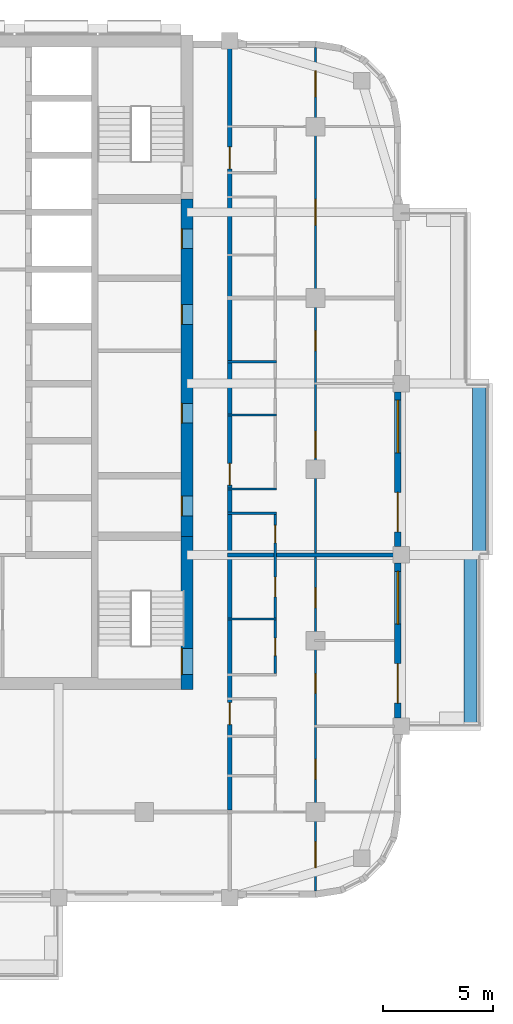
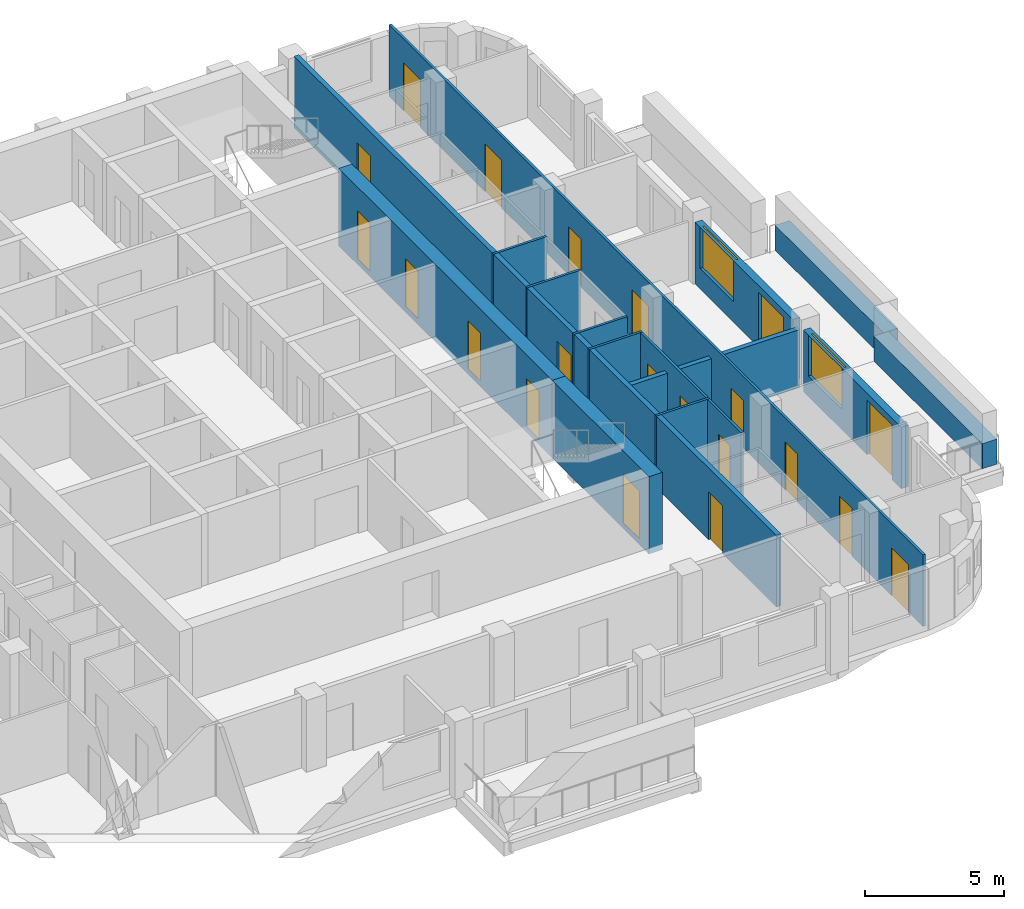
# One storey, part 6 of 13: 21 doors, 15 walls, 2 windows, 23 openings.
"""IFC4 building model written with IfcOpenShell, lengths in metres."""

from ifc_helpers import new_model, si_unit, direction, frame, frame_2d, origin, place, context, subcontext, project, spatial, rectangle, extrude, material, layer, layer_set, type_object, element, fill, save


model = new_model("IFC4")

# Units and contexts
model_context = context("Model", 3, precision=1e-05, world=origin(), true_north=direction((0.0, 1.0)))
body_context = subcontext(model_context, "Body", "Model", "MODEL_VIEW")
ifc_project = project(units=[si_unit("LENGTHUNIT", "METRE"), si_unit("AREAUNIT", "SQUARE_METRE"), si_unit("VOLUMEUNIT", "CUBIC_METRE"), si_unit("PLANEANGLEUNIT", "RADIAN"), si_unit("MASSUNIT", "GRAM", prefix="KILO")], contexts=[model_context])

# Site, building, storey
site_placement = place(None, origin())
site = spatial("IfcSite", under=ifc_project, at=site_placement, CompositionType="ELEMENT")
building_placement = place(site_placement, origin())
building = spatial("IfcBuilding", under=site, at=building_placement, Name="Ludao Terraces", CompositionType="ELEMENT")
storey_placement = place(building_placement, frame((0.0, 0.0, 162.199951171875)))
storey = spatial("IfcBuildingStorey", under=building, at=storey_placement, Name="L44", CompositionType="ELEMENT", Elevation=162.199951171875)

# Wall, opening, door
ifc_material_1 = material(Name="Concrete C60", Category="concrete")
ifc_layer_1 = layer(ifc_material_1, 0.550048828125)
ifc_layer_set_1 = layer_set([ifc_layer_1], Name="Core wall 550 C60")
wall_type_1 = type_object("IfcWallType", Name="Core wall 550 C60", PredefinedType="SOLIDWALL", material=ifc_layer_set_1)
wall_1_placement = place(storey_placement, frame((94.75, 54.97509765625, -0.25), z_axis=(0.0, 0.0, 1.0), x_axis=(0.0, 1.0, 0.0)))
wall_1 = element("IfcWall", 1, at=wall_1_placement, inside=storey, type_object=wall_type_1, Name="Core wall L44 outer-E-S3", PredefinedType="SOLIDWALL", context=body_context, shape_type="SweptSolid", body=[
    extrude(rectangle(XDim=6.974853515625, YDim=0.550048828125, at=frame_2d((3.4873046875, 0.0))), origin(), (0.0, 0.0, 1.0), 3.400146484375),
])
opening_1_placement = place(wall_1_placement, frame((0.675048828125, 0.0, 0.25)))
opening_1 = element("IfcOpeningElement", 2, at=opening_1_placement, cuts=wall_1, Name="Opening R15-017", PredefinedType="OPENING", context=body_context, shape_type="SweptSolid", body=[
    extrude(rectangle(XDim=1.199951171875, YDim=2.10009765625, at=frame_2d((0.60009765625, 1.050048828125))), frame((0.0, 0.28515625, 0.0), z_axis=(0.0, -1.0, 0.0), x_axis=(1.0, 0.0, 0.0)), (0.0, 0.0, 1.0), 0.570068359375),
])
ifc_material_2 = material(Name="Steel Q235", Category="steel")
door_type_1 = type_object("IfcDoorType", Name="INT Stair door 1200", OperationType="DOUBLE_DOOR_SINGLE_SWING", PredefinedType="DOOR", material=ifc_material_2)
door_1_placement = place(opening_1_placement, origin())
door_1 = element("IfcDoor", 3, at=door_1_placement, inside=storey, type_object=door_type_1, Name="DOOR 017", OperationType="DOUBLE_DOOR_SINGLE_SWING", OverallHeight=2.10009765625, OverallWidth=1.199951171875, PredefinedType="DOOR", context=body_context, shape_type="SweptSolid", body=[
    extrude(rectangle(XDim=1.199951171875, YDim=2.10009765625, at=frame_2d((0.60009765625, 1.050048828125))), frame((0.0, 0.26025390625, 0.0), z_axis=(0.0, -1.0, 0.0), x_axis=(1.0, 0.0, 0.0)), (0.0, 0.0, 1.0), 0.050048828125),
])
fill(opening_1, door_1)

# Wall, openings, doors
wall_2_placement = place(storey_placement, frame((94.75, 61.949951171875, -0.25), z_axis=(0.0, 0.0, 1.0), x_axis=(0.0, 1.0, 0.0)))
wall_2 = element("IfcWall", 4, at=wall_2_placement, inside=storey, type_object=wall_type_1, Name="Core wall L44 outer-E", PredefinedType="SOLIDWALL", context=body_context, shape_type="SweptSolid", body=[
    extrude(rectangle(XDim=15.35009765625, YDim=0.550048828125, at=frame_2d((7.675048828125, 0.0))), origin(), (0.0, 0.0, 1.0), 3.400146484375),
])
opening_2_placement = place(wall_2_placement, frame((0.925048828125, 0.0, 0.25)))
opening_2 = element("IfcOpeningElement", 5, at=opening_2_placement, cuts=wall_2, Name="Opening R15-034", PredefinedType="OPENING", context=body_context, shape_type="SweptSolid", body=[
    extrude(rectangle(XDim=0.89990234375, YDim=2.10009765625, at=frame_2d((0.449951171875, 1.050048828125))), frame((0.0, 0.28515625, 0.0), z_axis=(0.0, -1.0, 0.0), x_axis=(1.0, 0.0, 0.0)), (0.0, 0.0, 1.0), 0.570068359375),
])
opening_3_placement = place(wall_2_placement, frame((5.14990234375, 0.0, 0.25)))
opening_3 = element("IfcOpeningElement", 6, at=opening_3_placement, cuts=wall_2, Name="Opening R15-043", PredefinedType="OPENING", context=body_context, shape_type="SweptSolid", body=[
    extrude(rectangle(XDim=0.89990234375, YDim=2.10009765625, at=frame_2d((0.449951171875, 1.050048828125))), frame((0.0, 0.28515625, 0.0), z_axis=(0.0, -1.0, 0.0), x_axis=(1.0, 0.0, 0.0)), (0.0, 0.0, 1.0), 0.570068359375),
])
opening_4_placement = place(wall_2_placement, frame((9.64990234375, 0.0, 0.25)))
opening_4 = element("IfcOpeningElement", 7, at=opening_4_placement, cuts=wall_2, Name="Opening R15-056", PredefinedType="OPENING", context=body_context, shape_type="SweptSolid", body=[
    extrude(rectangle(XDim=0.89990234375, YDim=2.10009765625, at=frame_2d((0.449951171875, 1.050048828125))), frame((0.0, 0.28515625, 0.0), z_axis=(0.0, -1.0, 0.0), x_axis=(1.0, 0.0, 0.0)), (0.0, 0.0, 1.0), 0.570068359375),
])
opening_5_placement = place(wall_2_placement, frame((13.10009765625, 0.0, 0.25)))
opening_5 = element("IfcOpeningElement", 8, at=opening_5_placement, cuts=wall_2, Name="Opening R15-066", PredefinedType="OPENING", context=body_context, shape_type="SweptSolid", body=[
    extrude(rectangle(XDim=0.89990234375, YDim=2.10009765625, at=frame_2d((0.449951171875, 1.050048828125))), frame((0.0, 0.28515625, 0.0), z_axis=(0.0, -1.0, 0.0), x_axis=(1.0, 0.0, 0.0)), (0.0, 0.0, 1.0), 0.570068359375),
])
door_type_2 = type_object("IfcDoorType", Name="INT Riser door 900", OperationType="SINGLE_SWING_LEFT", PredefinedType="DOOR", material=ifc_material_2)
door_2_placement = place(opening_2_placement, origin())
door_2 = element("IfcDoor", 9, at=door_2_placement, inside=storey, type_object=door_type_2, Name="DOOR 034", OperationType="SINGLE_SWING_LEFT", OverallHeight=2.10009765625, OverallWidth=0.89990234375, PredefinedType="DOOR", context=body_context, shape_type="SweptSolid", body=[
    extrude(rectangle(XDim=0.89990234375, YDim=2.10009765625, at=frame_2d((0.449951171875, 1.050048828125))), frame((0.0, 0.26025390625, 0.0), z_axis=(0.0, -1.0, 0.0), x_axis=(1.0, 0.0, 0.0)), (0.0, 0.0, 1.0), 0.050048828125),
])
fill(opening_2, door_2)
door_3_placement = place(opening_5_placement, origin())
door_3 = element("IfcDoor", 10, at=door_3_placement, inside=storey, type_object=door_type_2, Name="DOOR 066", OperationType="SINGLE_SWING_RIGHT", OverallHeight=2.10009765625, OverallWidth=0.89990234375, PredefinedType="DOOR", context=body_context, shape_type="SweptSolid", body=[
    extrude(rectangle(XDim=0.89990234375, YDim=2.10009765625, at=frame_2d((0.449951171875, 1.050048828125))), frame((0.0, 0.26025390625, 0.0), z_axis=(0.0, -1.0, 0.0), x_axis=(1.0, 0.0, 0.0)), (0.0, 0.0, 1.0), 0.050048828125),
])
fill(opening_5, door_3)
ifc_material_3 = material(Name="Timber door leaf", Category="wood")
door_type_3 = type_object("IfcDoorType", Name="INT Room door 900", OperationType="SINGLE_SWING_LEFT", PredefinedType="DOOR", material=ifc_material_3)
door_4_placement = place(opening_3_placement, origin())
door_4 = element("IfcDoor", 11, at=door_4_placement, inside=storey, type_object=door_type_3, Name="DOOR 043", OperationType="SINGLE_SWING_LEFT", OverallHeight=2.10009765625, OverallWidth=0.89990234375, PredefinedType="DOOR", context=body_context, shape_type="SweptSolid", body=[
    extrude(rectangle(XDim=0.89990234375, YDim=2.10009765625, at=frame_2d((0.449951171875, 1.050048828125))), frame((0.0, 0.26025390625, 0.0), z_axis=(0.0, -1.0, 0.0), x_axis=(1.0, 0.0, 0.0)), (0.0, 0.0, 1.0), 0.050048828125),
])
fill(opening_3, door_4)
door_5_placement = place(opening_4_placement, origin())
door_5 = element("IfcDoor", 12, at=door_5_placement, inside=storey, type_object=door_type_3, Name="DOOR 056", OperationType="SINGLE_SWING_RIGHT", OverallHeight=2.10009765625, OverallWidth=0.89990234375, PredefinedType="DOOR", context=body_context, shape_type="SweptSolid", body=[
    extrude(rectangle(XDim=0.89990234375, YDim=2.10009765625, at=frame_2d((0.449951171875, 1.050048828125))), frame((0.0, 0.26025390625, 0.0), z_axis=(0.0, -1.0, 0.0), x_axis=(1.0, 0.0, 0.0)), (0.0, 0.0, 1.0), 0.050048828125),
])
fill(opening_4, door_5)

# Walls
ifc_material_4 = material(Name="Concrete C40", Category="concrete")
ifc_layer_2 = layer(ifc_material_4, 0.60009765625)
ifc_layer_set_2 = layer_set([ifc_layer_2], Name="ENV Planter trough 600")
wall_type_2 = type_object("IfcWallType", Name="ENV Planter trough 600", PredefinedType="USERDEFINED", material=ifc_layer_set_2)
wall_3_placement = place(storey_placement, frame((107.64990234375, 53.300048828125, 0.0), z_axis=(0.0, 0.0, 1.0), x_axis=(0.0, 1.0, 0.0)))
element("IfcWall", 13, at=wall_3_placement, inside=storey, type_object=wall_type_2, Name="PL-L44-E1", ObjectType="PLANTER", PredefinedType="USERDEFINED", context=body_context, shape_type="SweptSolid", body=[
    extrude(rectangle(XDim=7.800048828125, YDim=0.60009765625, at=frame_2d((3.89990234375, 0.0))), origin(), (0.0, 0.0, 1.0), 1.10009765625),
])
wall_4_placement = place(storey_placement, frame((108.050048828125, 61.10009765625, 0.0), z_axis=(0.0, 0.0, 1.0), x_axis=(0.0, 1.0, 0.0)))
element("IfcWall", 14, at=wall_4_placement, inside=storey, type_object=wall_type_2, Name="PL-L44-E2", ObjectType="PLANTER", PredefinedType="USERDEFINED", context=body_context, shape_type="SweptSolid", body=[
    extrude(rectangle(XDim=7.7998046875, YDim=0.60009765625, at=frame_2d((3.89990234375, 0.0))), origin(), (0.0, 0.0, 1.0), 1.10009765625),
])

# Wall, openings, door, window
ifc_material_5 = material(Name="Granite cladding", Category="masonry")
ifc_layer_3 = layer(ifc_material_5, 0.0400390625, Category="stone")
ifc_material_6 = material(Name="Mineral wool")
ifc_layer_4 = layer(ifc_material_6, 0.06005859375)
ifc_layer_5 = layer(ifc_material_4, 0.199951171875, Category="concrete")
ifc_layer_set_3 = layer_set([ifc_layer_3, ifc_layer_4, ifc_layer_5], Name="ENV Stone-clad wall 300")
wall_type_3 = type_object("IfcWallType", Name="ENV Stone-clad wall 300", PredefinedType="SOLIDWALL", material=ifc_layer_set_3)
wall_5_placement = place(storey_placement, frame((104.35009765625, 53.675048828125, 0.0), z_axis=(0.0, 0.0, 1.0), x_axis=(0.0, 1.0, 0.0)))
wall_5 = element("IfcWall", 15, at=wall_5_placement, inside=storey, type_object=wall_type_3, Name="EW-L44-E2", PredefinedType="SOLIDWALL", context=body_context, shape_type="SweptSolid", body=[
    extrude(rectangle(XDim=7.050048828125, YDim=0.300048828125, at=frame_2d((3.52490234375, 0.0))), origin(), (0.0, 0.0, 1.0), 2.699951171875),
])
opening_6_placement = place(wall_5_placement, frame((0.675048828125, 0.0, 0.0)))
opening_6 = element("IfcOpeningElement", 16, at=opening_6_placement, cuts=wall_5, Name="Opening BD", PredefinedType="OPENING", context=body_context, shape_type="SweptSolid", body=[
    extrude(rectangle(XDim=1.800048828125, YDim=2.39990234375, at=frame_2d((0.89990234375, 1.199951171875))), frame((0.0, 0.16015625, 0.0), z_axis=(0.0, -1.0, 0.0), x_axis=(1.0, 0.0, 0.0)), (0.0, 0.0, 1.0), 0.320068359375),
])
opening_7_placement = place(wall_5_placement, frame((4.27490234375, 0.0, 0.89990234375)))
opening_7 = element("IfcOpeningElement", 17, at=opening_7_placement, cuts=wall_5, Name="Opening W1", PredefinedType="OPENING", context=body_context, shape_type="SweptSolid", body=[
    extrude(rectangle(XDim=2.39990234375, YDim=1.800048828125, at=frame_2d((1.199951171875, 0.89990234375))), frame((0.0, 0.16015625, 0.0), z_axis=(0.0, -1.0, 0.0), x_axis=(1.0, 0.0, 0.0)), (0.0, 0.0, 1.0), 0.320068359375),
])
ifc_material_7 = material(Name="Aluminium glazed door", Category="aluminium")
ifc_layer_6 = layer(ifc_material_7, 0.06005859375)
ifc_layer_set_4 = layer_set([ifc_layer_6], Name="ENV Balcony door BD 1800x2400")
door_type_4 = type_object("IfcDoorType", Name="ENV Balcony door BD 1800x2400", OperationType="DOUBLE_DOOR_SINGLE_SWING", PredefinedType="DOOR", material=ifc_layer_set_4)
door_6_placement = place(opening_6_placement, origin())
door_6 = element("IfcDoor", 18, at=door_6_placement, inside=storey, type_object=door_type_4, Name="BD-L44-E2-1", OperationType="DOUBLE_DOOR_SINGLE_SWING", OverallHeight=2.39990234375, OverallWidth=1.800048828125, PredefinedType="DOOR", context=body_context, shape_type="SweptSolid", body=[
    extrude(rectangle(XDim=1.800048828125, YDim=2.39990234375, at=frame_2d((0.89990234375, 1.199951171875))), frame((0.0, 0.02490234375, 0.0), z_axis=(0.0, -1.0, 0.0), x_axis=(1.0, 0.0, 0.0)), (0.0, 0.0, 1.0), 0.050048828125),
])
fill(opening_6, door_6)
ifc_material_8 = material(Name="Clear glass in aluminium frame", Category="aluminium")
ifc_layer_7 = layer(ifc_material_8, 0.06005859375)
ifc_layer_set_5 = layer_set([ifc_layer_7], Name="ENV Window W1 2400x1800")
window_type = type_object("IfcWindowType", Name="ENV Window W1 2400x1800", PartitioningType="DOUBLE_PANEL_VERTICAL", PredefinedType="WINDOW", material=ifc_layer_set_5)
window_1_placement = place(opening_7_placement, origin())
window_1 = element("IfcWindow", 19, at=window_1_placement, inside=storey, type_object=window_type, Name="W-L44-E2-2", OverallHeight=1.800048828125, OverallWidth=2.39990234375, PartitioningType="DOUBLE_PANEL_VERTICAL", PredefinedType="WINDOW", context=body_context, shape_type="SweptSolid", body=[
    extrude(rectangle(XDim=2.39990234375, YDim=1.800048828125, at=frame_2d((1.199951171875, 0.89990234375))), frame((0.0, 0.030029296875, 0.0), z_axis=(0.0, -1.0, 0.0), x_axis=(1.0, 0.0, 0.0)), (0.0, 0.0, 1.0), 0.06005859375),
])
fill(opening_7, window_1)

wall_6_placement = place(storey_placement, frame((104.35009765625, 61.47509765625, 0.0), z_axis=(0.0, 0.0, 1.0), x_axis=(0.0, 1.0, 0.0)))
wall_6 = element("IfcWall", 20, at=wall_6_placement, inside=storey, type_object=wall_type_3, Name="EW-L44-E3", PredefinedType="SOLIDWALL", context=body_context, shape_type="SweptSolid", body=[
    extrude(rectangle(XDim=7.0498046875, YDim=0.300048828125, at=frame_2d((3.52490234375, 0.0))), origin(), (0.0, 0.0, 1.0), 2.699951171875),
])
opening_8_placement = place(wall_6_placement, frame((0.675048828125, 0.0, 0.0)))
opening_8 = element("IfcOpeningElement", 21, at=opening_8_placement, cuts=wall_6, Name="Opening BD", PredefinedType="OPENING", context=body_context, shape_type="SweptSolid", body=[
    extrude(rectangle(XDim=1.800048828125, YDim=2.39990234375, at=frame_2d((0.89990234375, 1.199951171875))), frame((0.0, 0.16015625, 0.0), z_axis=(0.0, -1.0, 0.0), x_axis=(1.0, 0.0, 0.0)), (0.0, 0.0, 1.0), 0.320068359375),
])
opening_9_placement = place(wall_6_placement, frame((4.27490234375, 0.0, 0.89990234375)))
opening_9 = element("IfcOpeningElement", 22, at=opening_9_placement, cuts=wall_6, Name="Opening W1", PredefinedType="OPENING", context=body_context, shape_type="SweptSolid", body=[
    extrude(rectangle(XDim=2.39990234375, YDim=1.800048828125, at=frame_2d((1.199951171875, 0.89990234375))), frame((0.0, 0.16015625, 0.0), z_axis=(0.0, -1.0, 0.0), x_axis=(1.0, 0.0, 0.0)), (0.0, 0.0, 1.0), 0.320068359375),
])
door_7_placement = place(opening_8_placement, origin())
door_7 = element("IfcDoor", 23, at=door_7_placement, inside=storey, type_object=door_type_4, Name="BD-L44-E3-1", OperationType="DOUBLE_DOOR_SINGLE_SWING", OverallHeight=2.39990234375, OverallWidth=1.800048828125, PredefinedType="DOOR", context=body_context, shape_type="SweptSolid", body=[
    extrude(rectangle(XDim=1.800048828125, YDim=2.39990234375, at=frame_2d((0.89990234375, 1.199951171875))), frame((0.0, 0.02490234375, 0.0), z_axis=(0.0, -1.0, 0.0), x_axis=(1.0, 0.0, 0.0)), (0.0, 0.0, 1.0), 0.050048828125),
])
fill(opening_8, door_7)
window_2_placement = place(opening_9_placement, origin())
window_2 = element("IfcWindow", 24, at=window_2_placement, inside=storey, type_object=window_type, Name="W-L44-E3-2", OverallHeight=1.800048828125, OverallWidth=2.39990234375, PartitioningType="DOUBLE_PANEL_VERTICAL", PredefinedType="WINDOW", context=body_context, shape_type="SweptSolid", body=[
    extrude(rectangle(XDim=2.39990234375, YDim=1.800048828125, at=frame_2d((1.199951171875, 0.89990234375))), frame((0.0, 0.030029296875, 0.0), z_axis=(0.0, -1.0, 0.0), x_axis=(1.0, 0.0, 0.0)), (0.0, 0.0, 1.0), 0.06005859375),
])
fill(opening_9, window_2)

# Wall, openings, doors
ifc_material_9 = material(Name="Autoclaved aerated concrete block B06 A3.5", Category="concrete")
ifc_layer_8 = layer(ifc_material_9, 0.199951171875)
ifc_layer_set_6 = layer_set([ifc_layer_8], Name="INT Entrance wall 200")
wall_type_4 = type_object("IfcWallType", Name="INT Entrance wall 200", PredefinedType="PARTITIONING", material=ifc_layer_set_6)
wall_7_placement = place(storey_placement, frame((96.699951171875, 49.5, 0.0), z_axis=(0.0, 0.0, 1.0), x_axis=(0.0, 1.0, 0.0)))
wall_7 = element("IfcWall", 25, at=wall_7_placement, inside=storey, type_object=wall_type_4, Name="PW-L44-PW056", PredefinedType="PARTITIONING", context=body_context, shape_type="SweptSolid", body=[
    extrude(rectangle(XDim=34.7001953125, YDim=0.199951171875, at=frame_2d((17.35009765625, 0.0))), origin(), (0.0, 0.0, 1.0), 3.150146484375),
])
opening_10_placement = place(wall_7_placement, frame((3.875, 0.0, 0.0)))
opening_10 = element("IfcOpeningElement", 26, at=opening_10_placement, cuts=wall_7, Name="Opening R15-013", PredefinedType="OPENING", context=body_context, shape_type="SweptSolid", body=[
    extrude(rectangle(XDim=1.0, YDim=2.10009765625, at=frame_2d((0.5, 1.050048828125))), frame((0.0, 0.10986328125, 0.0), z_axis=(0.0, -1.0, 0.0), x_axis=(1.0, 0.0, 0.0)), (0.0, 0.0, 1.0), 0.219970703125),
])
opening_11_placement = place(wall_7_placement, frame((14.775146484375, 0.0, 0.0)))
opening_11 = element("IfcOpeningElement", 27, at=opening_11_placement, cuts=wall_7, Name="Opening R15-036", PredefinedType="OPENING", context=body_context, shape_type="SweptSolid", body=[
    extrude(rectangle(XDim=1.0, YDim=2.10009765625, at=frame_2d((0.5, 1.050048828125))), frame((0.0, 0.10986328125, 0.0), z_axis=(0.0, -1.0, 0.0), x_axis=(1.0, 0.0, 0.0)), (0.0, 0.0, 1.0), 0.219970703125),
])
opening_12_placement = place(wall_7_placement, frame((29.175048828125, 0.0, 0.0)))
opening_12 = element("IfcOpeningElement", 28, at=opening_12_placement, cuts=wall_7, Name="Opening R15-078", PredefinedType="OPENING", context=body_context, shape_type="SweptSolid", body=[
    extrude(rectangle(XDim=1.0, YDim=2.10009765625, at=frame_2d((0.5, 1.050048828125))), frame((0.0, 0.10986328125, 0.0), z_axis=(0.0, -1.0, 0.0), x_axis=(1.0, 0.0, 0.0)), (0.0, 0.0, 1.0), 0.219970703125),
])
door_type_5 = type_object("IfcDoorType", Name="INT Flat entrance door 1000", OperationType="SINGLE_SWING_LEFT", PredefinedType="DOOR", material=ifc_material_2)
door_8_placement = place(opening_10_placement, origin())
door_8 = element("IfcDoor", 29, at=door_8_placement, inside=storey, type_object=door_type_5, Name="DOOR 013", OperationType="SINGLE_SWING_RIGHT", OverallHeight=2.10009765625, OverallWidth=1.0, PredefinedType="DOOR", context=body_context, shape_type="SweptSolid", body=[
    extrude(rectangle(XDim=1.0, YDim=2.10009765625, at=frame_2d((0.5, 1.050048828125))), frame((0.0, 0.02490234375, 0.0), z_axis=(0.0, -1.0, 0.0), x_axis=(1.0, 0.0, 0.0)), (0.0, 0.0, 1.0), 0.050048828125),
])
fill(opening_10, door_8)
door_9_placement = place(opening_11_placement, origin())
door_9 = element("IfcDoor", 30, at=door_9_placement, inside=storey, type_object=door_type_5, Name="DOOR 036", OperationType="SINGLE_SWING_LEFT", OverallHeight=2.10009765625, OverallWidth=1.0, PredefinedType="DOOR", context=body_context, shape_type="SweptSolid", body=[
    extrude(rectangle(XDim=1.0, YDim=2.10009765625, at=frame_2d((0.5, 1.050048828125))), frame((0.0, 0.02490234375, 0.0), z_axis=(0.0, -1.0, 0.0), x_axis=(1.0, 0.0, 0.0)), (0.0, 0.0, 1.0), 0.050048828125),
])
fill(opening_11, door_9)
door_10_placement = place(opening_12_placement, origin())
door_10 = element("IfcDoor", 31, at=door_10_placement, inside=storey, type_object=door_type_5, Name="DOOR 078", OperationType="SINGLE_SWING_LEFT", OverallHeight=2.10009765625, OverallWidth=1.0, PredefinedType="DOOR", context=body_context, shape_type="SweptSolid", body=[
    extrude(rectangle(XDim=1.0, YDim=2.10009765625, at=frame_2d((0.5, 1.050048828125))), frame((0.0, 0.02490234375, 0.0), z_axis=(0.0, -1.0, 0.0), x_axis=(1.0, 0.0, 0.0)), (0.0, 0.0, 1.0), 0.050048828125),
])
fill(opening_12, door_10)

# Walls
ifc_material_10 = material(Name="Gypsum plasterboard", Category="gypsum")
ifc_layer_9 = layer(ifc_material_10, 0.012451171875, Category="gypsum")
ifc_layer_10 = layer(ifc_material_6, 0.06005859375, Name="insulation")
ifc_layer_11 = layer(ifc_material_2, 0.014892578125, Name="stud")
ifc_layer_12 = layer(ifc_material_10, 0.012451171875, Category="gypsum")
ifc_layer_set_7 = layer_set([ifc_layer_9, ifc_layer_10, ifc_layer_11, ifc_layer_12], Name="INT Partition 100")
wall_type_5 = type_object("IfcWallType", Name="INT Partition 100", PredefinedType="PARTITIONING", material=ifc_layer_set_7)
for number, where, z_axis, x_axis, name in (
    (32, (96.60009765625, 58.179931640625, 0.0), (0.0, 0.0, 1.0), (1.0, 0.0, 0.0), "PW-L44-PW014"),
    (33, (96.60009765625, 63.0, 0.0), (0.0, 0.0, 1.0), (1.0, 0.0, 0.0), "PW-L44-PW019"),
    (34, (96.60009765625, 64.10009765625, 0.0), (0.0, 0.0, 1.0), (1.0, 0.0, 0.0), "PW-L44-PW022"),
    (35, (96.60009765625, 67.469970703125, 0.0), (0.0, 0.0, 1.0), (1.0, 0.0, 0.0), "PW-L44-PW025"),
    (36, (96.60009765625, 69.89990234375, 0.0), (0.0, 0.0, 1.0), (1.0, 0.0, 0.0), "PW-L44-PW028"),
):
    element("IfcWall", number, at=place(storey_placement, frame(where, z_axis=z_axis, x_axis=x_axis)), inside=storey, type_object=wall_type_5, Name=name, PredefinedType="PARTITIONING", context=body_context, shape_type="SweptSolid", body=[
        extrude(rectangle(XDim=2.219970703125, YDim=0.10009765625, at=frame_2d((1.10986328125, 0.0))), origin(), (0.0, 0.0, 1.0), 3.150146484375),
    ])

# Wall, openings, doors
wall_8_placement = place(storey_placement, frame((98.77001953125, 55.7001953125, 0.0), z_axis=(0.0, 0.0, 1.0), x_axis=(0.0, 1.0, 0.0)))
wall_8 = element("IfcWall", 37, at=wall_8_placement, inside=storey, type_object=wall_type_5, Name="PW-L44-PW058", PredefinedType="PARTITIONING", context=body_context, shape_type="SweptSolid", body=[
    extrude(rectangle(XDim=7.25, YDim=0.10009765625, at=frame_2d((3.625, 0.0))), origin(), (0.0, 0.0, 1.0), 3.150146484375),
])
opening_13_placement = place(wall_8_placement, frame((0.81494140625, 0.0, 0.0)))
opening_13 = element("IfcOpeningElement", 38, at=opening_13_placement, cuts=wall_8, Name="Opening R15-018", PredefinedType="OPENING", context=body_context, shape_type="SweptSolid", body=[
    extrude(rectangle(XDim=0.800048828125, YDim=2.10009765625, at=frame_2d((0.39990234375, 1.050048828125))), frame((0.0, 0.06005859375, 0.0), z_axis=(0.0, -1.0, 0.0), x_axis=(1.0, 0.0, 0.0)), (0.0, 0.0, 1.0), 0.1201171875),
])
opening_14_placement = place(wall_8_placement, frame((3.489990234375, 0.0, 0.0)))
opening_14 = element("IfcOpeningElement", 39, at=opening_14_placement, cuts=wall_8, Name="Opening R15-025", PredefinedType="OPENING", context=body_context, shape_type="SweptSolid", body=[
    extrude(rectangle(XDim=0.89990234375, YDim=2.10009765625, at=frame_2d((0.449951171875, 1.050048828125))), frame((0.0, 0.06005859375, 0.0), z_axis=(0.0, -1.0, 0.0), x_axis=(1.0, 0.0, 0.0)), (0.0, 0.0, 1.0), 0.1201171875),
])
opening_15_placement = place(wall_8_placement, frame((5.949951171875, 0.0, 0.0)))
opening_15 = element("IfcOpeningElement", 40, at=opening_15_placement, cuts=wall_8, Name="Opening R15-028", PredefinedType="OPENING", context=body_context, shape_type="SweptSolid", body=[
    extrude(rectangle(XDim=0.800048828125, YDim=2.10009765625, at=frame_2d((0.39990234375, 1.050048828125))), frame((0.0, 0.06005859375, 0.0), z_axis=(0.0, -1.0, 0.0), x_axis=(1.0, 0.0, 0.0)), (0.0, 0.0, 1.0), 0.1201171875),
])
door_11_placement = place(opening_14_placement, origin())
door_11 = element("IfcDoor", 41, at=door_11_placement, inside=storey, type_object=door_type_3, Name="DOOR 025", OperationType="SINGLE_SWING_RIGHT", OverallHeight=2.10009765625, OverallWidth=0.89990234375, PredefinedType="DOOR", context=body_context, shape_type="SweptSolid", body=[
    extrude(rectangle(XDim=0.89990234375, YDim=2.10009765625, at=frame_2d((0.449951171875, 1.050048828125))), frame((0.0, 0.02490234375, 0.0), z_axis=(0.0, -1.0, 0.0), x_axis=(1.0, 0.0, 0.0)), (0.0, 0.0, 1.0), 0.050048828125),
])
fill(opening_14, door_11)
door_type_6 = type_object("IfcDoorType", Name="INT Store door 800", OperationType="SINGLE_SWING_LEFT", PredefinedType="DOOR", material=ifc_material_3)
door_12_placement = place(opening_13_placement, origin())
door_12 = element("IfcDoor", 42, at=door_12_placement, inside=storey, type_object=door_type_6, Name="DOOR 018", OperationType="SINGLE_SWING_LEFT", OverallHeight=2.10009765625, OverallWidth=0.800048828125, PredefinedType="DOOR", context=body_context, shape_type="SweptSolid", body=[
    extrude(rectangle(XDim=0.800048828125, YDim=2.10009765625, at=frame_2d((0.39990234375, 1.050048828125))), frame((0.0, 0.02490234375, 0.0), z_axis=(0.0, -1.0, 0.0), x_axis=(1.0, 0.0, 0.0)), (0.0, 0.0, 1.0), 0.050048828125),
])
fill(opening_13, door_12)
door_13_placement = place(opening_15_placement, origin())
door_13 = element("IfcDoor", 43, at=door_13_placement, inside=storey, type_object=door_type_6, Name="DOOR 028", OperationType="SINGLE_SWING_LEFT", OverallHeight=2.10009765625, OverallWidth=0.800048828125, PredefinedType="DOOR", context=body_context, shape_type="SweptSolid", body=[
    extrude(rectangle(XDim=0.800048828125, YDim=2.10009765625, at=frame_2d((0.39990234375, 1.050048828125))), frame((0.0, 0.02490234375, 0.0), z_axis=(0.0, -1.0, 0.0), x_axis=(1.0, 0.0, 0.0)), (0.0, 0.0, 1.0), 0.050048828125),
])
fill(opening_15, door_13)

wall_9_placement = place(storey_placement, frame((100.60009765625, 45.800048828125, 0.0), z_axis=(0.0, 0.0, 1.0), x_axis=(0.0, 1.0, 0.0)))
wall_9 = element("IfcWall", 44, at=wall_9_placement, inside=storey, type_object=wall_type_5, Name="PW-L44-PW061", PredefinedType="PARTITIONING", context=body_context, shape_type="SweptSolid", body=[
    extrude(rectangle(XDim=38.400146484375, YDim=0.10009765625, at=frame_2d((19.2001953125, 0.0))), origin(), (0.0, 0.0, 1.0), 3.150146484375),
])
opening_16_placement = place(wall_9_placement, frame((1.050048828125, 0.0, 0.0)))
opening_16 = element("IfcOpeningElement", 45, at=opening_16_placement, cuts=wall_9, Name="Opening R15-002", PredefinedType="OPENING", context=body_context, shape_type="SweptSolid", body=[
    extrude(rectangle(XDim=1.199951171875, YDim=2.10009765625, at=frame_2d((0.60009765625, 1.050048828125))), frame((0.0, 0.06005859375, 0.0), z_axis=(0.0, -1.0, 0.0), x_axis=(1.0, 0.0, 0.0)), (0.0, 0.0, 1.0), 0.1201171875),
])
opening_17_placement = place(wall_9_placement, frame((5.10009765625, 0.0, 0.0)))
opening_17 = element("IfcOpeningElement", 46, at=opening_17_placement, cuts=wall_9, Name="Opening R15-010", PredefinedType="OPENING", context=body_context, shape_type="SweptSolid", body=[
    extrude(rectangle(XDim=0.89990234375, YDim=2.10009765625, at=frame_2d((0.449951171875, 1.050048828125))), frame((0.0, 0.06005859375, 0.0), z_axis=(0.0, -1.0, 0.0), x_axis=(1.0, 0.0, 0.0)), (0.0, 0.0, 1.0), 0.1201171875),
])
opening_18_placement = place(wall_9_placement, frame((9.0, 0.0, 0.0)))
opening_18 = element("IfcOpeningElement", 47, at=opening_18_placement, cuts=wall_9, Name="Opening R15-016", PredefinedType="OPENING", context=body_context, shape_type="SweptSolid", body=[
    extrude(rectangle(XDim=0.89990234375, YDim=2.10009765625, at=frame_2d((0.449951171875, 1.050048828125))), frame((0.0, 0.06005859375, 0.0), z_axis=(0.0, -1.0, 0.0), x_axis=(1.0, 0.0, 0.0)), (0.0, 0.0, 1.0), 0.1201171875),
])
opening_19_placement = place(wall_9_placement, frame((12.89990234375, 0.0, 0.0)))
opening_19 = element("IfcOpeningElement", 48, at=opening_19_placement, cuts=wall_9, Name="Opening R15-024", PredefinedType="OPENING", context=body_context, shape_type="SweptSolid", body=[
    extrude(rectangle(XDim=0.89990234375, YDim=2.10009765625, at=frame_2d((0.449951171875, 1.050048828125))), frame((0.0, 0.06005859375, 0.0), z_axis=(0.0, -1.0, 0.0), x_axis=(1.0, 0.0, 0.0)), (0.0, 0.0, 1.0), 0.1201171875),
])
opening_20_placement = place(wall_9_placement, frame((19.72509765625, 0.0, 0.0)))
opening_20 = element("IfcOpeningElement", 49, at=opening_20_placement, cuts=wall_9, Name="Opening R15-041", PredefinedType="OPENING", context=body_context, shape_type="SweptSolid", body=[
    extrude(rectangle(XDim=1.199951171875, YDim=2.10009765625, at=frame_2d((0.60009765625, 1.050048828125))), frame((0.0, 0.06005859375, 0.0), z_axis=(0.0, -1.0, 0.0), x_axis=(1.0, 0.0, 0.0)), (0.0, 0.0, 1.0), 0.1201171875),
])
opening_21_placement = place(wall_9_placement, frame((24.60009765625, 0.0, 0.0)))
opening_21 = element("IfcOpeningElement", 50, at=opening_21_placement, cuts=wall_9, Name="Opening R15-052", PredefinedType="OPENING", context=body_context, shape_type="SweptSolid", body=[
    extrude(rectangle(XDim=0.89990234375, YDim=2.10009765625, at=frame_2d((0.449951171875, 1.050048828125))), frame((0.0, 0.06005859375, 0.0), z_axis=(0.0, -1.0, 0.0), x_axis=(1.0, 0.0, 0.0)), (0.0, 0.0, 1.0), 0.1201171875),
])
opening_22_placement = place(wall_9_placement, frame((30.300048828125, 0.0, 0.0)))
opening_22 = element("IfcOpeningElement", 51, at=opening_22_placement, cuts=wall_9, Name="Opening R15-070", PredefinedType="OPENING", context=body_context, shape_type="SweptSolid", body=[
    extrude(rectangle(XDim=1.199951171875, YDim=2.10009765625, at=frame_2d((0.60009765625, 1.050048828125))), frame((0.0, 0.06005859375, 0.0), z_axis=(0.0, -1.0, 0.0), x_axis=(1.0, 0.0, 0.0)), (0.0, 0.0, 1.0), 0.1201171875),
])
opening_23_placement = place(wall_9_placement, frame((36.14990234375, 0.0, 0.0)))
opening_23 = element("IfcOpeningElement", 52, at=opening_23_placement, cuts=wall_9, Name="Opening R15-086", PredefinedType="OPENING", context=body_context, shape_type="SweptSolid", body=[
    extrude(rectangle(XDim=1.199951171875, YDim=2.10009765625, at=frame_2d((0.60009765625, 1.050048828125))), frame((0.0, 0.06005859375, 0.0), z_axis=(0.0, -1.0, 0.0), x_axis=(1.0, 0.0, 0.0)), (0.0, 0.0, 1.0), 0.1201171875),
])
door_type_7 = type_object("IfcDoorType", Name="INT Double door 1200", OperationType="DOUBLE_DOOR_SINGLE_SWING", PredefinedType="DOOR", material=ifc_material_3)
door_14_placement = place(opening_16_placement, origin())
door_14 = element("IfcDoor", 53, at=door_14_placement, inside=storey, type_object=door_type_7, Name="DOOR 002", OperationType="DOUBLE_DOOR_SINGLE_SWING", OverallHeight=2.10009765625, OverallWidth=1.199951171875, PredefinedType="DOOR", context=body_context, shape_type="SweptSolid", body=[
    extrude(rectangle(XDim=1.199951171875, YDim=2.10009765625, at=frame_2d((0.60009765625, 1.050048828125))), frame((0.0, 0.02490234375, 0.0), z_axis=(0.0, -1.0, 0.0), x_axis=(1.0, 0.0, 0.0)), (0.0, 0.0, 1.0), 0.050048828125),
])
fill(opening_16, door_14)
door_15_placement = place(opening_20_placement, origin())
door_15 = element("IfcDoor", 54, at=door_15_placement, inside=storey, type_object=door_type_7, Name="DOOR 041", OperationType="DOUBLE_DOOR_SINGLE_SWING", OverallHeight=2.10009765625, OverallWidth=1.199951171875, PredefinedType="DOOR", context=body_context, shape_type="SweptSolid", body=[
    extrude(rectangle(XDim=1.199951171875, YDim=2.10009765625, at=frame_2d((0.60009765625, 1.050048828125))), frame((0.0, 0.02490234375, 0.0), z_axis=(0.0, -1.0, 0.0), x_axis=(1.0, 0.0, 0.0)), (0.0, 0.0, 1.0), 0.050048828125),
])
fill(opening_20, door_15)
door_16_placement = place(opening_22_placement, origin())
door_16 = element("IfcDoor", 55, at=door_16_placement, inside=storey, type_object=door_type_7, Name="DOOR 070", OperationType="DOUBLE_DOOR_SINGLE_SWING", OverallHeight=2.10009765625, OverallWidth=1.199951171875, PredefinedType="DOOR", context=body_context, shape_type="SweptSolid", body=[
    extrude(rectangle(XDim=1.199951171875, YDim=2.10009765625, at=frame_2d((0.60009765625, 1.050048828125))), frame((0.0, 0.02490234375, 0.0), z_axis=(0.0, -1.0, 0.0), x_axis=(1.0, 0.0, 0.0)), (0.0, 0.0, 1.0), 0.050048828125),
])
fill(opening_22, door_16)
door_17_placement = place(opening_23_placement, origin())
door_17 = element("IfcDoor", 56, at=door_17_placement, inside=storey, type_object=door_type_7, Name="DOOR 086", OperationType="DOUBLE_DOOR_SINGLE_SWING", OverallHeight=2.10009765625, OverallWidth=1.199951171875, PredefinedType="DOOR", context=body_context, shape_type="SweptSolid", body=[
    extrude(rectangle(XDim=1.199951171875, YDim=2.10009765625, at=frame_2d((0.60009765625, 1.050048828125))), frame((0.0, 0.02490234375, 0.0), z_axis=(0.0, -1.0, 0.0), x_axis=(1.0, 0.0, 0.0)), (0.0, 0.0, 1.0), 0.050048828125),
])
fill(opening_23, door_17)
door_18_placement = place(opening_17_placement, origin())
door_18 = element("IfcDoor", 57, at=door_18_placement, inside=storey, type_object=door_type_3, Name="DOOR 010", OperationType="SINGLE_SWING_LEFT", OverallHeight=2.10009765625, OverallWidth=0.89990234375, PredefinedType="DOOR", context=body_context, shape_type="SweptSolid", body=[
    extrude(rectangle(XDim=0.89990234375, YDim=2.10009765625, at=frame_2d((0.449951171875, 1.050048828125))), frame((0.0, 0.02490234375, 0.0), z_axis=(0.0, -1.0, 0.0), x_axis=(1.0, 0.0, 0.0)), (0.0, 0.0, 1.0), 0.050048828125),
])
fill(opening_17, door_18)
door_19_placement = place(opening_18_placement, origin())
door_19 = element("IfcDoor", 58, at=door_19_placement, inside=storey, type_object=door_type_3, Name="DOOR 016", OperationType="SINGLE_SWING_RIGHT", OverallHeight=2.10009765625, OverallWidth=0.89990234375, PredefinedType="DOOR", context=body_context, shape_type="SweptSolid", body=[
    extrude(rectangle(XDim=0.89990234375, YDim=2.10009765625, at=frame_2d((0.449951171875, 1.050048828125))), frame((0.0, 0.02490234375, 0.0), z_axis=(0.0, -1.0, 0.0), x_axis=(1.0, 0.0, 0.0)), (0.0, 0.0, 1.0), 0.050048828125),
])
fill(opening_18, door_19)
door_20_placement = place(opening_19_placement, origin())
door_20 = element("IfcDoor", 59, at=door_20_placement, inside=storey, type_object=door_type_3, Name="DOOR 024", OperationType="SINGLE_SWING_RIGHT", OverallHeight=2.10009765625, OverallWidth=0.89990234375, PredefinedType="DOOR", context=body_context, shape_type="SweptSolid", body=[
    extrude(rectangle(XDim=0.89990234375, YDim=2.10009765625, at=frame_2d((0.449951171875, 1.050048828125))), frame((0.0, 0.02490234375, 0.0), z_axis=(0.0, -1.0, 0.0), x_axis=(1.0, 0.0, 0.0)), (0.0, 0.0, 1.0), 0.050048828125),
])
fill(opening_19, door_20)
door_21_placement = place(opening_21_placement, origin())
door_21 = element("IfcDoor", 60, at=door_21_placement, inside=storey, type_object=door_type_3, Name="DOOR 052", OperationType="SINGLE_SWING_LEFT", OverallHeight=2.10009765625, OverallWidth=0.89990234375, PredefinedType="DOOR", context=body_context, shape_type="SweptSolid", body=[
    extrude(rectangle(XDim=0.89990234375, YDim=2.10009765625, at=frame_2d((0.449951171875, 1.050048828125))), frame((0.0, 0.02490234375, 0.0), z_axis=(0.0, -1.0, 0.0), x_axis=(1.0, 0.0, 0.0)), (0.0, 0.0, 1.0), 0.050048828125),
])
fill(opening_21, door_21)

# Wall
ifc_layer_13 = layer(ifc_material_9, 0.199951171875)
ifc_layer_set_8 = layer_set([ifc_layer_13], Name="INT Party wall 200")
wall_type_6 = type_object("IfcWallType", Name="INT Party wall 200", PredefinedType="PARTITIONING", material=ifc_layer_set_8)
wall_10_placement = place(storey_placement, frame((96.60009765625, 61.10009765625, 0.0), z_axis=(0.0, 0.0, 1.0), x_axis=(1.0, 0.0, 0.0)))
element("IfcWall", 61, at=wall_10_placement, inside=storey, type_object=wall_type_6, Name="PW-L44-PW018", PredefinedType="PARTITIONING", context=body_context, shape_type="SweptSolid", body=[
    extrude(rectangle(XDim=7.60009765625, YDim=0.199951171875, at=frame_2d((3.800048828125, 0.0))), origin(), (0.0, 0.0, 1.0), 2.550048828125),
])

save(model, "model.ifc")
